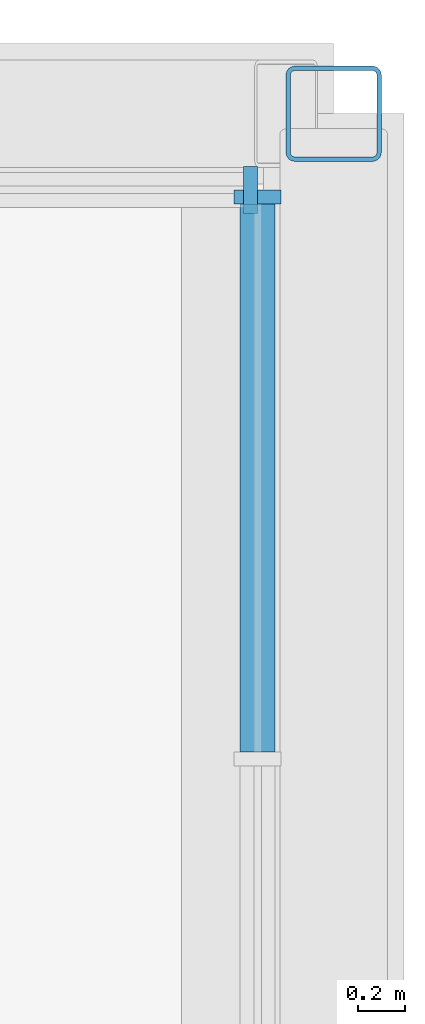
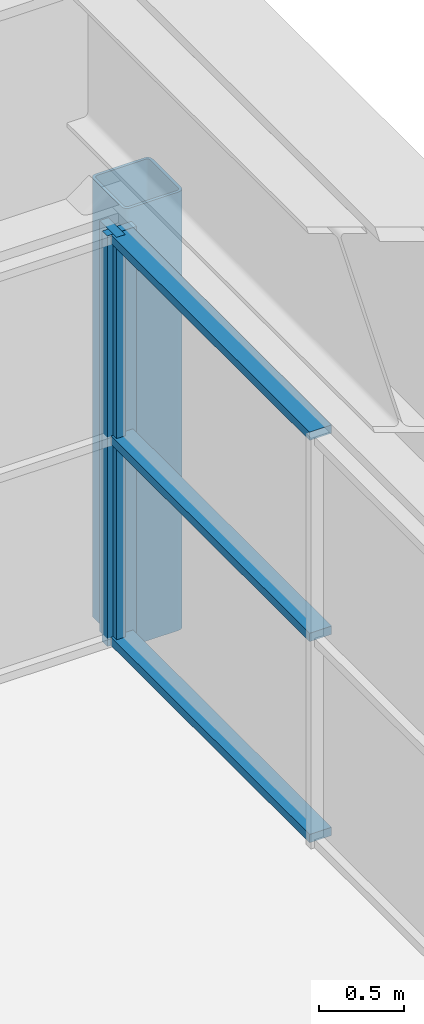
# One storey, part 6 of 12: 6 members, 2 elements without a shape of their own.
"""IFC4 building model written with IfcOpenShell, lengths in metres."""

from ifc_helpers import new_model, si_unit, direction, frame, origin, origin_2d, place, context, subcontext, project, spatial, rectangle, hollow_rectangle, extrude, material, material_profile, profile_set, type_object, element, aggregate, save


model = new_model("IFC4")

# Units and contexts
model_context = context("Model", 3, precision=1e-05, world=origin(), true_north=direction((0.0, 1.0)))
body_context = subcontext(model_context, "Body", "Model", "MODEL_VIEW")
ifc_project = project(units=[si_unit("LENGTHUNIT", "METRE"), si_unit("AREAUNIT", "SQUARE_METRE"), si_unit("VOLUMEUNIT", "CUBIC_METRE"), si_unit("PLANEANGLEUNIT", "RADIAN"), si_unit("MASSUNIT", "GRAM", prefix="KILO")], contexts=[model_context])

# Site, building, storey
site_placement = place(None, origin())
site = spatial("IfcSite", under=ifc_project, at=site_placement, CompositionType="ELEMENT")
building_placement = place(site_placement, origin())
building = spatial("IfcBuilding", under=site, at=building_placement, Name="Sennacour Bend Tower", CompositionType="ELEMENT")
storey_placement = place(building_placement, frame((0.0, 0.0, 350.5)))
storey = spatial("IfcBuildingStorey", under=building, at=storey_placement, Name="L80", CompositionType="ELEMENT", Elevation=350.5)

# Curtain wall, member
ifc_material_1 = material(Name="Bronze anodised aluminium curtain wall with clear glass", Category="aluminium")
curtain_wall_type = type_object("IfcCurtainWallType", Name="CURTAIN WALL LOUNGE", PredefinedType="NOTDEFINED", material=ifc_material_1)
curtain_wall_1_placement = place(storey_placement, origin())
curtain_wall_1 = element("IfcCurtainWall", 1, at=curtain_wall_1_placement, inside=storey, type_object=curtain_wall_type, Name="Sky lounge glass wall L80", PredefinedType="NOTDEFINED")
ifc_material_2 = material(Name="Aluminium 6063-T6", Category="aluminium")
ifc_material_profile_1 = material_profile(ifc_material_2, rectangle(XDim=0.199951171875, YDim=0.06005859375, at=origin_2d()), Name="Aluminium 6063-T6", Category="aluminium")
ifc_profile_set_1 = profile_set([ifc_material_profile_1], Name="Aluminium 6063-T6")
member_type_1 = type_object("IfcMemberType", Name="CW-MULLION-200X60", PredefinedType="MULLION", material=ifc_profile_set_1)
member_1_placement = place(storey_placement, frame((76.675048828125, 22.14501953125, 0.0), z_axis=(0.0, 0.0, 1.0), x_axis=(-1.0, 0.0, 0.0)))
member_1 = element("IfcMember", 2, at=member_1_placement, type_object=member_type_1, Name="GW4 curtain wall mullion 4", PredefinedType="MULLION", context=body_context, shape_type="SweptSolid", body=[
    extrude(rectangle(XDim=0.199951171875, YDim=0.06005859375, at=origin_2d()), origin(), (0.0, 0.0, 1.0), 2.9501953125),
])

curtain_wall_2_placement = place(storey_placement, origin())
curtain_wall_2 = element("IfcCurtainWall", 3, at=curtain_wall_2_placement, inside=storey, type_object=curtain_wall_type, Name="Sky lounge glass wall L80", PredefinedType="NOTDEFINED")
member_2_placement = place(storey_placement, frame((76.64501953125, 22.175048828125, 0.0), z_axis=(0.0, 0.0, 1.0), x_axis=(0.0, -1.0, 0.0)))
member_2 = element("IfcMember", 4, at=member_2_placement, type_object=member_type_1, Name="GW4 curtain wall mullion 1", PredefinedType="MULLION", context=body_context, shape_type="SweptSolid", body=[
    extrude(rectangle(XDim=0.199951171875, YDim=0.06005859375, at=origin_2d()), origin(), (0.0, 0.0, 1.0), 2.9501953125),
])
aggregate(curtain_wall_2, [member_2])

# Member
ifc_material_profile_2 = material_profile(ifc_material_2, rectangle(XDim=0.14990234375, YDim=0.06005859375, at=origin_2d()), Name="Aluminium 6063-T6", Category="aluminium")
ifc_profile_set_2 = profile_set([ifc_material_profile_2], Name="Aluminium 6063-T6")
member_type_2 = type_object("IfcMemberType", Name="CW-TRANSOM-150X60", PredefinedType="USERDEFINED", material=ifc_profile_set_2)
member_3_placement = place(storey_placement, frame((76.675048828125, 19.77734375, 0.030029296875), z_axis=(0.0, 1.0, 0.0), x_axis=(-1.0, 0.0, 0.0)))
member_3 = element("IfcMember", 5, at=member_3_placement, type_object=member_type_2, Name="GW4 curtain wall transom 3.1", ObjectType="TRANSOM", PredefinedType="USERDEFINED", context=body_context, shape_type="SweptSolid", body=[
    extrude(rectangle(XDim=0.14990234375, YDim=0.06005859375, at=origin_2d()), origin(), (0.0, 0.0, 1.0), 2.337646484375),
])

member_4_placement = place(storey_placement, frame((76.675048828125, 19.77734375, 1.47509765625), z_axis=(0.0, 1.0, 0.0), x_axis=(-1.0, 0.0, 0.0)))
member_4 = element("IfcMember", 6, at=member_4_placement, type_object=member_type_2, Name="GW4 curtain wall transom 3.2", ObjectType="TRANSOM", PredefinedType="USERDEFINED", context=body_context, shape_type="SweptSolid", body=[
    extrude(rectangle(XDim=0.14990234375, YDim=0.06005859375, at=origin_2d()), origin(), (0.0, 0.0, 1.0), 2.337646484375),
])

member_5_placement = place(storey_placement, frame((76.675048828125, 19.77734375, 2.920166015625), z_axis=(0.0, 1.0, 0.0), x_axis=(-1.0, 0.0, 0.0)))
member_5 = element("IfcMember", 7, at=member_5_placement, type_object=member_type_2, Name="GW4 curtain wall transom 3.3", ObjectType="TRANSOM", PredefinedType="USERDEFINED", context=body_context, shape_type="SweptSolid", body=[
    extrude(rectangle(XDim=0.14990234375, YDim=0.06005859375, at=origin_2d()), origin(), (0.0, 0.0, 1.0), 2.337646484375),
])

aggregate(curtain_wall_1, [member_1, member_3, member_4, member_5])

ifc_material_3 = material(Name="Steel ASTM A500 Grade C", Category="steel")
ifc_material_profile_3 = material_profile(ifc_material_3, hollow_rectangle(XDim=0.406494140625, YDim=0.406494140625, WallThickness=0.01904296875, InnerFilletRadius=0.01904296875, OuterFilletRadius=0.0380859375, at=origin_2d()), Name="Steel ASTM A500 Grade C", Category="steel")
ifc_profile_set_3 = profile_set([ifc_material_profile_3], Name="Steel ASTM A500 Grade C")
member_type_3 = type_object("IfcMemberType", Name="Lounge truss post 406", PredefinedType="POST", material=ifc_profile_set_3)
member_6_placement = place(storey_placement, frame((77.0, 22.5, -0.199951171875), z_axis=(0.0, 0.0, 1.0), x_axis=(1.0, 0.0, 0.0)))
element("IfcMember", 8, at=member_6_placement, inside=storey, type_object=member_type_3, Name="Lounge truss post LP L80-010", PredefinedType="POST", context=body_context, shape_type="SweptSolid", body=[
    extrude(hollow_rectangle(XDim=0.406494140625, YDim=0.406494140625, WallThickness=0.01904296875, InnerFilletRadius=0.01904296875, OuterFilletRadius=0.0380859375, at=origin_2d()), origin(), (0.0, 0.0, 1.0), 3.14990234375),
])

save(model, "model.ifc")
